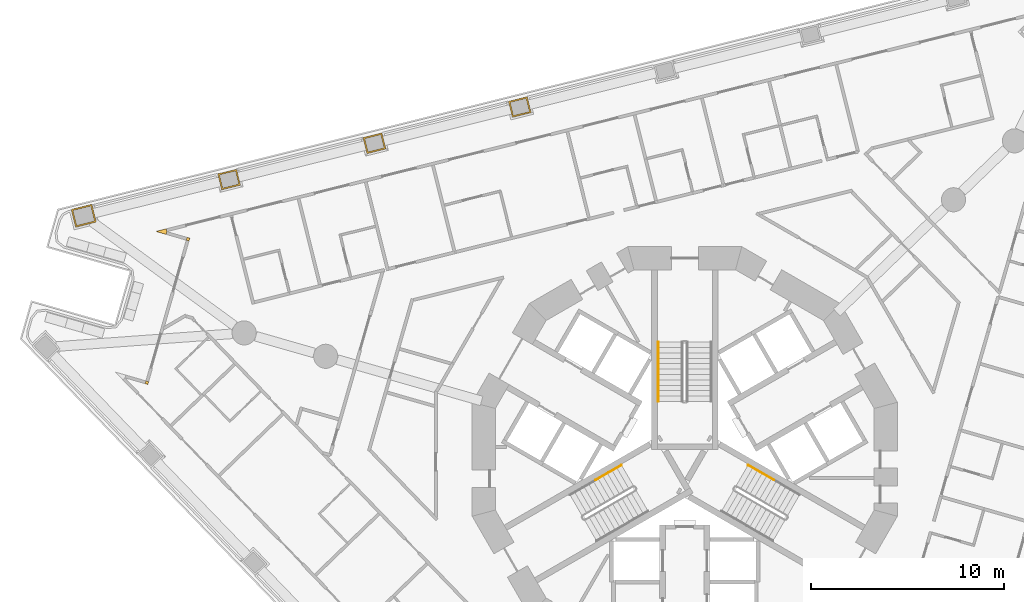
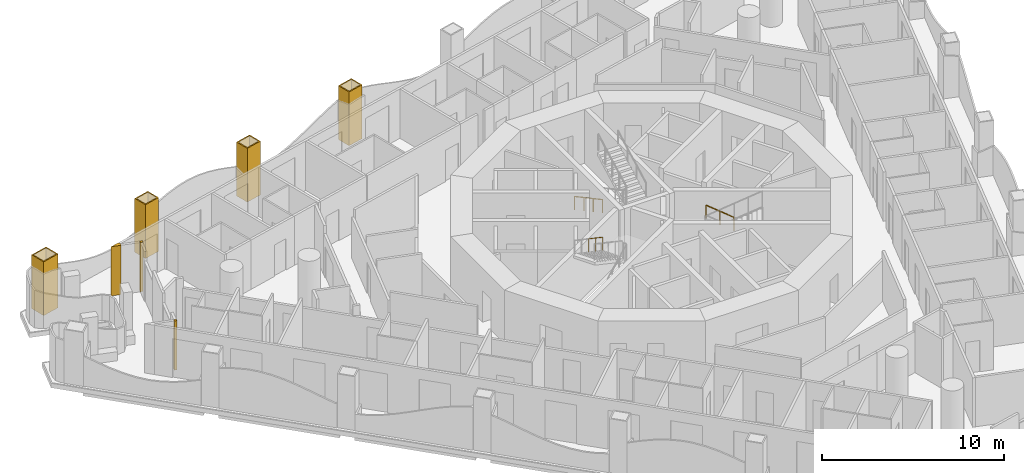
# One storey, part 16 of 19: 7 coverings, 3 railings.
"""IFC4 building model written with IfcOpenShell, lengths in metres."""

from ifc_helpers import new_model, si_unit, direction, frame, origin, origin_2d, place, context, subcontext, project, spatial, polyline, circle, outline, extrude, material, layer, layer_set, type_object, element, save


model = new_model("IFC4")

# Units and contexts
model_context = context("Model", 3, precision=1e-05, world=origin(), true_north=direction((0.0, 1.0)))
body_context = subcontext(model_context, "Body", "Model", "MODEL_VIEW")
ifc_project = project(units=[si_unit("LENGTHUNIT", "METRE"), si_unit("AREAUNIT", "SQUARE_METRE"), si_unit("VOLUMEUNIT", "CUBIC_METRE"), si_unit("PLANEANGLEUNIT", "RADIAN"), si_unit("MASSUNIT", "GRAM", prefix="KILO")], contexts=[model_context])

# Site, building, storey
site_placement = place(None, origin())
site = spatial("IfcSite", under=ifc_project, at=site_placement, CompositionType="ELEMENT")
building_placement = place(site_placement, origin())
building = spatial("IfcBuilding", under=site, at=building_placement, Name="Trine Commons Tower", CompositionType="ELEMENT")
storey_placement = place(building_placement, frame((0.0, 0.0, 98.10009765625)))
storey = spatial("IfcBuildingStorey", under=building, at=storey_placement, Name="L24", CompositionType="ELEMENT", Elevation=98.10009765625)

# Coverings
ifc_material_1 = material(Name="Aluminium-framed insulated wall panel", Category="aluminium")
ifc_layer_1 = layer(ifc_material_1, 0.14990234375)
ifc_layer_set_1 = layer_set([ifc_layer_1], Name="Aluminium-framed insulated wall panel")
covering_type_1 = type_object("IfcCoveringType", Name="Glazing corner post, aluminium", PredefinedType="CLADDING", material=ifc_layer_set_1)
covering_1_placement = place(storey_placement, origin())
element("IfcCovering", 1, at=covering_1_placement, inside=storey, type_object=covering_type_1, Name="Glazing corner post 3-02", PredefinedType="CLADDING", context=body_context, shape_type="SweptSolid", body=[
    extrude(outline(polyline([(52.048828125, 66.416015625), (52.193115234375, 66.374755859375), (52.234375, 66.518798828125), (52.090087890625, 66.560302734375), (52.048828125, 66.416015625)])), origin(), (0.0, 0.0, 1.0), 3.2998046875),
])
covering_2_placement = place(storey_placement, origin())
element("IfcCovering", 2, at=covering_2_placement, inside=storey, type_object=covering_type_1, Name="Glazing corner post 3-03", PredefinedType="CLADDING", context=body_context, shape_type="SweptSolid", body=[
    extrude(outline(polyline([(54.32373046875, 73.805419921875), (54.364990234375, 73.949462890625), (54.220703125, 73.99072265625), (54.179443359375, 73.8466796875), (54.32373046875, 73.805419921875)])), origin(), (0.0, 0.0, 1.0), 3.2998046875),
])
covering_3_placement = place(storey_placement, origin())
element("IfcCovering", 3, at=covering_3_placement, inside=storey, type_object=covering_type_1, Name="Glazing corner post 3-04", PredefinedType="CLADDING", context=body_context, shape_type="SweptSolid", body=[
    extrude(outline(polyline([(53.1357421875, 74.14599609375), (53.17724609375, 74.2900390625), (53.140869140625, 74.435546875), (52.59765625, 74.30029296875), (53.1357421875, 74.14599609375)])), origin(), (0.0, 0.0, 1.0), 3.2998046875),
])
ifc_material_2 = material(Name="Limestone, honed", Category="masonry")
ifc_layer_2 = layer(ifc_material_2, 0.074951171875)
ifc_layer_set_2 = layer_set([ifc_layer_2], Name="Limestone, honed")
covering_type_2 = type_object("IfcCoveringType", Name="Limestone column cladding 75", PredefinedType="CLADDING", material=ifc_layer_set_2)
covering_4_placement = place(storey_placement, origin())
element("IfcCovering", 4, at=covering_4_placement, inside=storey, type_object=covering_type_2, Name="Limestone pier cladding 3-09", PredefinedType="CLADDING", context=body_context, shape_type="SweptSolid", body=[
    extrude(outline(polyline([(49.520751953125, 74.785400390625), (49.291015625, 75.70703125), (48.2236328125, 75.44091796875), (48.45361328125, 74.519287109375), (49.520751953125, 74.785400390625)]), holes=[polyline([(49.429931640625, 74.83984375), (49.236328125, 75.6162109375), (48.314453125, 75.38623046875), (48.508056640625, 74.610107421875), (49.429931640625, 74.83984375)])]), origin(), (0.0, 0.0, 1.0), 3.599853515625),
])
covering_5_placement = place(storey_placement, origin())
element("IfcCovering", 5, at=covering_5_placement, inside=storey, type_object=covering_type_2, Name="Limestone pier cladding 3-10", PredefinedType="CLADDING", context=body_context, shape_type="SweptSolid", body=[
    extrude(outline(polyline([(56.9873046875, 76.698486328125), (56.78173828125, 77.523193359375), (55.811279296875, 77.28125), (56.01708984375, 76.45654296875), (56.9873046875, 76.698486328125)]), holes=[polyline([(56.896484375, 76.7529296875), (56.72705078125, 77.43212890625), (55.90234375, 77.2265625), (56.07177734375, 76.54736328125), (56.896484375, 76.7529296875)])]), origin(), (0.0, 0.0, 1.0), 3.599853515625),
])
covering_6_placement = place(storey_placement, origin())
element("IfcCovering", 6, at=covering_6_placement, inside=storey, type_object=covering_type_2, Name="Limestone pier cladding 3-11", PredefinedType="CLADDING", context=body_context, shape_type="SweptSolid", body=[
    extrude(outline(polyline([(64.5146484375, 78.5751953125), (64.308837890625, 79.39990234375), (63.338623046875, 79.157958984375), (63.544189453125, 78.333251953125), (64.5146484375, 78.5751953125)]), holes=[polyline([(64.423583984375, 78.6298828125), (64.25439453125, 79.30908203125), (63.4296875, 79.103515625), (63.598876953125, 78.42431640625), (64.423583984375, 78.6298828125)])]), origin(), (0.0, 0.0, 1.0), 3.599853515625),
])
covering_7_placement = place(storey_placement, origin())
element("IfcCovering", 7, at=covering_7_placement, inside=storey, type_object=covering_type_2, Name="Limestone pier cladding 3-12", PredefinedType="CLADDING", context=body_context, shape_type="SweptSolid", body=[
    extrude(outline(polyline([(72.0419921875, 80.451904296875), (71.836181640625, 81.276611328125), (70.865966796875, 81.03466796875), (71.071533203125, 80.2099609375), (72.0419921875, 80.451904296875)]), holes=[polyline([(71.950927734375, 80.506591796875), (71.781494140625, 81.185791015625), (70.956787109375, 80.97998046875), (71.126220703125, 80.30078125), (71.950927734375, 80.506591796875)])]), origin(), (0.0, 0.0, 1.0), 3.599853515625),
])

# Railings
ifc_material_3 = material(Name="Stainless steel handrail", Category="steel")
railing_type = type_object("IfcRailingType", Name="Stair handrail, steel 900", PredefinedType="HANDRAIL", material=ifc_material_3)
railing_1_placement = place(storey_placement, frame((78.625, 68.570556640625, 0.14990234375)))
element("IfcRailing", 8, at=railing_1_placement, inside=storey, type_object=railing_type, Name="L24 ST1A stair handrail 1", PredefinedType="HANDRAIL", context=body_context, shape_type="SweptSolid", body=[
    extrude(circle(Radius=0.02099609375, at=origin_2d()), frame((0.0, 0.0, 0.87890625), z_axis=(0.0, -0.881496589024, 0.472190389079), x_axis=(1.0, 0.0, 0.0)), (0.0, 0.0, 1.0), 3.494140625),
    extrude(circle(Radius=0.01513671875, at=origin_2d()), origin(), (0.0, 0.0, 1.0), 0.85791015625),
    extrude(circle(Radius=0.01513671875, at=origin_2d()), frame((0.0, -1.026611328125, 0.550048828125)), (0.0, 0.0, 1.0), 0.85791015625),
    extrude(circle(Radius=0.01513671875, at=origin_2d()), frame((0.0, -2.053466796875, 1.099853515625)), (0.0, 0.0, 1.0), 0.85791015625),
    extrude(circle(Radius=0.01513671875, at=origin_2d()), frame((0.0, -3.080078125, 1.64990234375)), (0.0, 0.0, 1.0), 0.85791015625),
])
railing_2_placement = place(storey_placement, frame((76.72265625, 62.195556640625, 1.949951171875)))
element("IfcRailing", 9, at=railing_2_placement, inside=storey, type_object=railing_type, Name="L24 ST2A stair handrail 3", PredefinedType="HANDRAIL", context=body_context, shape_type="SweptSolid", body=[
    extrude(circle(Radius=0.02099609375, at=origin_2d()), frame((0.0, 0.0, 0.87890625), z_axis=(-0.76340495495, -0.440743040072, 0.472184759798), x_axis=(0.499992328818, -0.866029832698, 0.0)), (0.0, 0.0, 1.0), 1.7470703125),
    extrude(circle(Radius=0.01513671875, at=origin_2d()), origin(), (0.0, 0.0, 1.0), 0.85791015625),
    extrude(circle(Radius=0.01513671875, at=origin_2d()), frame((-0.6669921875, -0.385009765625, 0.41259765625)), (0.0, 0.0, 1.0), 0.85791015625),
    extrude(circle(Radius=0.01513671875, at=origin_2d()), frame((-1.333740234375, -0.77001953125, 0.824951171875)), (0.0, 0.0, 1.0), 0.85791015625),
])
railing_3_placement = place(storey_placement, frame((84.611083984375, 61.425537109375, 0.974853515625)))
element("IfcRailing", 10, at=railing_3_placement, inside=storey, type_object=railing_type, Name="L24 ST3A stair handrail 2", PredefinedType="HANDRAIL", context=body_context, shape_type="SweptSolid", body=[
    extrude(circle(Radius=0.02099609375, at=origin_2d()), frame((0.0, 0.0, 0.87890625), z_axis=(-0.76340495495, 0.440743040072, 0.472184759798), x_axis=(-0.499992328818, -0.866029832698, 0.0)), (0.0, 0.0, 1.0), 1.7470703125),
    extrude(circle(Radius=0.01513671875, at=origin_2d()), origin(), (0.0, 0.0, 1.0), 0.85791015625),
    extrude(circle(Radius=0.01513671875, at=origin_2d()), frame((-0.6669921875, 0.385009765625, 0.41259765625)), (0.0, 0.0, 1.0), 0.85791015625),
    extrude(circle(Radius=0.01513671875, at=origin_2d()), frame((-1.333740234375, 0.77001953125, 0.824951171875)), (0.0, 0.0, 1.0), 0.85791015625),
])

save(model, "model.ifc")
